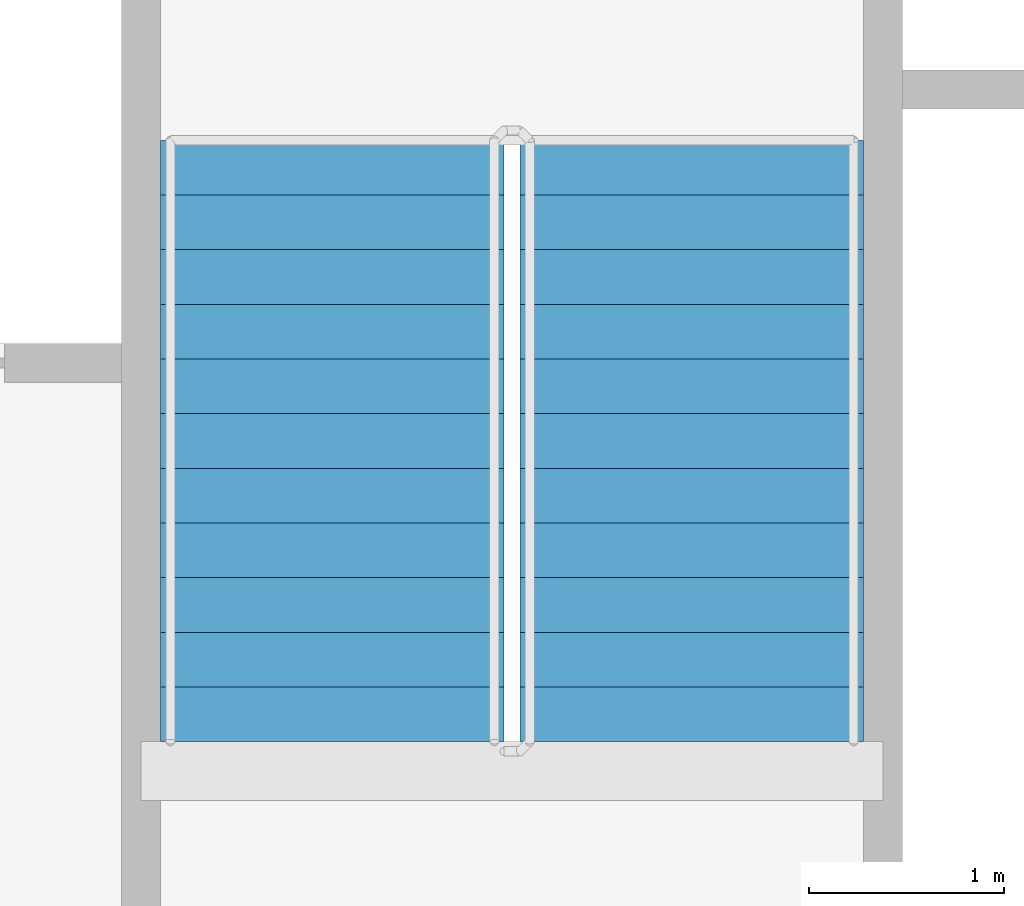
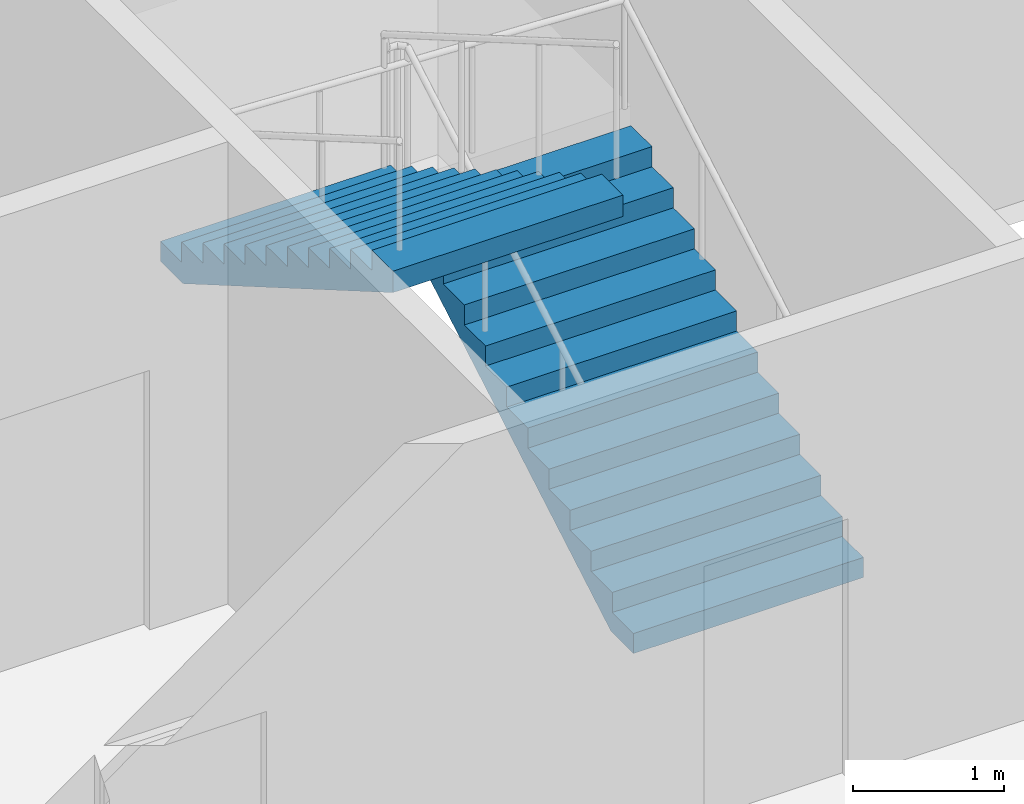
# One storey, part 16 of 21: 2 stair flights, 1 element without a shape of its own.
"""IFC4 building model written with IfcOpenShell, lengths in metres."""

from ifc_helpers import new_model, si_unit, direction, frame, origin, place, context, subcontext, project, spatial, faceted_brep, material, type_object, element, aggregate, save


model = new_model("IFC4")

# Units and contexts
model_context = context("Model", 3, precision=1e-05, world=origin(), true_north=direction((0.0, 1.0)))
body_context = subcontext(model_context, "Body", "Model", "MODEL_VIEW")
ifc_project = project(units=[si_unit("LENGTHUNIT", "METRE"), si_unit("AREAUNIT", "SQUARE_METRE"), si_unit("VOLUMEUNIT", "CUBIC_METRE"), si_unit("PLANEANGLEUNIT", "RADIAN"), si_unit("MASSUNIT", "GRAM", prefix="KILO")], contexts=[model_context])

# Site, building, storey
site_placement = place(None, origin())
site = spatial("IfcSite", under=ifc_project, at=site_placement, CompositionType="ELEMENT")
building_placement = place(site_placement, origin())
building = spatial("IfcBuilding", under=site, at=building_placement, Name="Tarsis Ring Headquarters", CompositionType="ELEMENT")
storey_placement = place(building_placement, frame((0.0, 0.0, 278.60009765625)))
storey = spatial("IfcBuildingStorey", under=building, at=storey_placement, Name="L65", CompositionType="ELEMENT", Elevation=278.60009765625)

# Stair, stair flights
ifc_material_1 = material(Name="Core stair 1760")
stair_type = type_object("IfcStairType", Name="Core stair 1760", PredefinedType="HALF_TURN_STAIR", material=ifc_material_1)
stair_placement = place(storey_placement, origin())
stair = element("IfcStair", 1, at=stair_placement, inside=storey, type_object=stair_type, Name="L65 Exit stair B", PredefinedType="HALF_TURN_STAIR")
ifc_material_2 = material(Name="Concrete C40/50", Category="concrete")
stair_flight_type = type_object("IfcStairFlightType", Name="Core stair flight 1760", PredefinedType="STRAIGHT", material=ifc_material_2)
stair_flight_1_placement = place(storey_placement, frame((5.419921875, 3.659912109375, 0.0), z_axis=(0.0, 0.0, 1.0), x_axis=(0.0, 1.0, 0.0)))
stair_flight_1 = element("IfcStairFlight", 2, at=stair_flight_1_placement, type_object=stair_flight_type, Name="Stair ST2 flight 1", NumberOfRisers=12, NumberOfTreads=11, PredefinedType="STRAIGHT", RiserHeight=0.1625, TreadLength=0.28, context=body_context, shape_type="Brep", body=[
    faceted_brep([(0.0, 0.8798828125, 0.0), (0.0, 0.8798828125, 0.16259765625), (0.280029296875, 0.8798828125, 0.16259765625), (0.280029296875, 0.8798828125, 0.324951171875), (0.56005859375, 0.8798828125, 0.324951171875), (0.56005859375, 0.8798828125, 0.487548828125), (0.840087890625, 0.8798828125, 0.487548828125), (0.840087890625, 0.8798828125, 0.64990234375), (1.1201171875, 0.8798828125, 0.64990234375), (1.1201171875, 0.8798828125, 0.8125), (1.39990234375, 0.8798828125, 0.8125), (1.39990234375, 0.8798828125, 0.97509765625), (1.679931640625, 0.8798828125, 0.97509765625), (1.679931640625, 0.8798828125, 1.137451171875), (1.9599609375, 0.8798828125, 1.137451171875), (1.9599609375, 0.8798828125, 1.300048828125), (2.239990234375, 0.8798828125, 1.300048828125), (2.239990234375, 0.8798828125, 1.46240234375), (2.52001953125, 0.8798828125, 1.46240234375), (2.52001953125, 0.8798828125, 1.625), (2.800048828125, 0.8798828125, 1.625), (2.800048828125, 0.8798828125, 1.78759765625), (3.080078125, 0.8798828125, 1.78759765625), (3.080078125, 0.8798828125, 1.6142578125), (0.298583984375, 0.8798828125, 0.0), (0.298583984375, -0.8798828125, 0.0), (3.080078125, -0.8798828125, 1.6142578125), (3.080078125, -0.8798828125, 1.78759765625), (2.800048828125, -0.8798828125, 1.78759765625), (2.800048828125, -0.8798828125, 1.625), (2.52001953125, -0.8798828125, 1.625), (2.52001953125, -0.8798828125, 1.46240234375), (2.239990234375, -0.8798828125, 1.46240234375), (2.239990234375, -0.8798828125, 1.300048828125), (1.9599609375, -0.8798828125, 1.300048828125), (1.9599609375, -0.8798828125, 1.137451171875), (1.679931640625, -0.8798828125, 1.137451171875), (1.679931640625, -0.8798828125, 0.97509765625), (1.39990234375, -0.8798828125, 0.97509765625), (1.39990234375, -0.8798828125, 0.8125), (1.1201171875, -0.8798828125, 0.8125), (1.1201171875, -0.8798828125, 0.64990234375), (0.840087890625, -0.8798828125, 0.64990234375), (0.840087890625, -0.8798828125, 0.487548828125), (0.56005859375, -0.8798828125, 0.487548828125), (0.56005859375, -0.8798828125, 0.324951171875), (0.280029296875, -0.8798828125, 0.324951171875), (0.280029296875, -0.8798828125, 0.16259765625), (0.0, -0.8798828125, 0.16259765625), (0.0, -0.8798828125, 0.0), (0.0, -0.43994140625, 0.16259765625), (0.0, -0.43994140625, 0.0), (0.0, 0.0, 0.16259765625), (0.0, 0.0, 0.0), (0.0, 0.43994140625, 0.16259765625), (0.0, 0.43994140625, 0.0), (0.280029296875, -0.43994140625, 0.16259765625), (0.280029296875, 0.0, 0.16259765625), (0.280029296875, 0.43994140625, 0.16259765625), (0.280029296875, -0.43994140625, 0.324951171875), (0.280029296875, 0.0, 0.324951171875), (0.280029296875, 0.43994140625, 0.324951171875), (0.56005859375, -0.43994140625, 0.324951171875), (0.56005859375, 0.0, 0.324951171875), (0.56005859375, 0.43994140625, 0.324951171875), (0.56005859375, -0.43994140625, 0.487548828125), (0.56005859375, 0.0, 0.487548828125), (0.56005859375, 0.43994140625, 0.487548828125), (0.840087890625, -0.43994140625, 0.487548828125), (0.840087890625, 0.0, 0.487548828125), (0.840087890625, 0.43994140625, 0.487548828125), (0.840087890625, -0.43994140625, 0.64990234375), (0.840087890625, 0.0, 0.64990234375), (0.840087890625, 0.43994140625, 0.64990234375), (1.1201171875, -0.43994140625, 0.64990234375), (1.1201171875, 0.0, 0.64990234375), (1.1201171875, 0.43994140625, 0.64990234375), (1.1201171875, -0.43994140625, 0.8125), (1.1201171875, 0.0, 0.8125), (1.1201171875, 0.43994140625, 0.8125), (1.39990234375, -0.43994140625, 0.8125), (1.39990234375, 0.0, 0.8125), (1.39990234375, 0.43994140625, 0.8125), (1.39990234375, -0.43994140625, 0.97509765625), (1.39990234375, 0.0, 0.97509765625), (1.39990234375, 0.43994140625, 0.97509765625), (1.679931640625, -0.43994140625, 0.97509765625), (1.679931640625, 0.0, 0.97509765625), (1.679931640625, 0.43994140625, 0.97509765625), (1.679931640625, -0.43994140625, 1.137451171875), (1.679931640625, 0.0, 1.137451171875), (1.679931640625, 0.43994140625, 1.137451171875), (1.9599609375, -0.43994140625, 1.137451171875), (1.9599609375, 0.0, 1.137451171875), (1.9599609375, 0.43994140625, 1.137451171875), (1.9599609375, -0.43994140625, 1.300048828125), (1.9599609375, 0.0, 1.300048828125), (1.9599609375, 0.43994140625, 1.300048828125), (2.239990234375, -0.43994140625, 1.300048828125), (2.239990234375, 0.0, 1.300048828125), (2.239990234375, 0.43994140625, 1.300048828125), (2.239990234375, -0.43994140625, 1.46240234375), (2.239990234375, 0.0, 1.46240234375), (2.239990234375, 0.43994140625, 1.46240234375), (2.52001953125, -0.43994140625, 1.46240234375), (2.52001953125, 0.0, 1.46240234375), (2.52001953125, 0.43994140625, 1.46240234375), (2.52001953125, -0.43994140625, 1.625), (2.52001953125, 0.0, 1.625), (2.52001953125, 0.43994140625, 1.625), (2.800048828125, -0.43994140625, 1.625), (2.800048828125, 0.0, 1.625), (2.800048828125, 0.43994140625, 1.625), (2.800048828125, -0.43994140625, 1.78759765625), (2.800048828125, 0.0, 1.78759765625), (2.800048828125, 0.43994140625, 1.78759765625), (3.080078125, -0.43994140625, 1.78759765625), (3.080078125, 0.0, 1.78759765625), (3.080078125, 0.43994140625, 1.78759765625), (3.080078125, -0.43994140625, 1.6142578125), (3.080078125, 0.0, 1.6142578125), (3.080078125, 0.43994140625, 1.6142578125), (0.298583984375, -0.43994140625, 0.0), (0.298583984375, 0.0, 0.0), (0.298583984375, 0.43994140625, 0.0)], [[[0, 1, 2, 3, 4, 5, 6, 7, 8, 9, 10, 11, 12, 13, 14, 15, 16, 17, 18, 19, 20, 21, 22, 23, 24]], [[25, 26, 27, 28, 29, 30, 31, 32, 33, 34, 35, 36, 37, 38, 39, 40, 41, 42, 43, 44, 45, 46, 47, 48, 49]], [[49, 48, 50, 51]], [[51, 50, 52, 53]], [[53, 52, 54, 55]], [[55, 54, 1, 0]], [[48, 47, 56, 50]], [[50, 56, 57, 52]], [[52, 57, 58, 54]], [[54, 58, 2, 1]], [[47, 46, 59, 56]], [[56, 59, 60, 57]], [[57, 60, 61, 58]], [[58, 61, 3, 2]], [[46, 45, 62, 59]], [[59, 62, 63, 60]], [[60, 63, 64, 61]], [[61, 64, 4, 3]], [[45, 44, 65, 62]], [[62, 65, 66, 63]], [[63, 66, 67, 64]], [[64, 67, 5, 4]], [[44, 43, 68, 65]], [[65, 68, 69, 66]], [[66, 69, 70, 67]], [[67, 70, 6, 5]], [[43, 42, 71, 68]], [[68, 71, 72, 69]], [[69, 72, 73, 70]], [[70, 73, 7, 6]], [[42, 41, 74, 71]], [[71, 74, 75, 72]], [[72, 75, 76, 73]], [[73, 76, 8, 7]], [[41, 40, 77, 74]], [[74, 77, 78, 75]], [[75, 78, 79, 76]], [[76, 79, 9, 8]], [[40, 39, 80, 77]], [[77, 80, 81, 78]], [[78, 81, 82, 79]], [[79, 82, 10, 9]], [[39, 38, 83, 80]], [[80, 83, 84, 81]], [[81, 84, 85, 82]], [[82, 85, 11, 10]], [[38, 37, 86, 83]], [[83, 86, 87, 84]], [[84, 87, 88, 85]], [[85, 88, 12, 11]], [[37, 36, 89, 86]], [[86, 89, 90, 87]], [[87, 90, 91, 88]], [[88, 91, 13, 12]], [[36, 35, 92, 89]], [[89, 92, 93, 90]], [[90, 93, 94, 91]], [[91, 94, 14, 13]], [[35, 34, 95, 92]], [[92, 95, 96, 93]], [[93, 96, 97, 94]], [[94, 97, 15, 14]], [[34, 33, 98, 95]], [[95, 98, 99, 96]], [[96, 99, 100, 97]], [[97, 100, 16, 15]], [[33, 32, 101, 98]], [[98, 101, 102, 99]], [[99, 102, 103, 100]], [[100, 103, 17, 16]], [[32, 31, 104, 101]], [[101, 104, 105, 102]], [[102, 105, 106, 103]], [[103, 106, 18, 17]], [[31, 30, 107, 104]], [[104, 107, 108, 105]], [[105, 108, 109, 106]], [[106, 109, 19, 18]], [[30, 29, 110, 107]], [[107, 110, 111, 108]], [[108, 111, 112, 109]], [[109, 112, 20, 19]], [[29, 28, 113, 110]], [[110, 113, 114, 111]], [[111, 114, 115, 112]], [[112, 115, 21, 20]], [[28, 27, 116, 113]], [[113, 116, 117, 114]], [[114, 117, 118, 115]], [[115, 118, 22, 21]], [[27, 26, 119, 116]], [[116, 119, 120, 117]], [[117, 120, 121, 118]], [[118, 121, 23, 22]], [[26, 25, 122, 119]], [[119, 122, 123, 120]], [[120, 123, 124, 121]], [[121, 124, 24, 23]], [[25, 49, 51, 122]], [[122, 51, 53, 123]], [[123, 53, 55, 124]], [[124, 55, 0, 24]]]),
])
stair_flight_2_placement = place(storey_placement, frame((3.580078125, 6.739990234375, 1.949951171875), z_axis=(0.0, 0.0, 1.0), x_axis=(0.0, -1.0, 0.0)))
stair_flight_2 = element("IfcStairFlight", 3, at=stair_flight_2_placement, type_object=stair_flight_type, Name="Stair ST2 flight 2", NumberOfRisers=12, NumberOfTreads=11, PredefinedType="STRAIGHT", RiserHeight=0.1625, TreadLength=0.28, context=body_context, shape_type="Brep", body=[
    faceted_brep([(0.0, 0.8798828125, 0.0), (0.0, 0.8798828125, 0.16259765625), (0.280029296875, 0.8798828125, 0.16259765625), (0.280029296875, 0.8798828125, 0.324951171875), (0.56005859375, 0.8798828125, 0.324951171875), (0.56005859375, 0.8798828125, 0.487548828125), (0.840087890625, 0.8798828125, 0.487548828125), (0.840087890625, 0.8798828125, 0.64990234375), (1.1201171875, 0.8798828125, 0.64990234375), (1.1201171875, 0.8798828125, 0.8125), (1.39990234375, 0.8798828125, 0.8125), (1.39990234375, 0.8798828125, 0.97509765625), (1.679931640625, 0.8798828125, 0.97509765625), (1.679931640625, 0.8798828125, 1.137451171875), (1.9599609375, 0.8798828125, 1.137451171875), (1.9599609375, 0.8798828125, 1.300048828125), (2.239990234375, 0.8798828125, 1.300048828125), (2.239990234375, 0.8798828125, 1.46240234375), (2.52001953125, 0.8798828125, 1.46240234375), (2.52001953125, 0.8798828125, 1.625), (2.800048828125, 0.8798828125, 1.625), (2.800048828125, 0.8798828125, 1.78759765625), (3.080078125, 0.8798828125, 1.78759765625), (3.080078125, 0.8798828125, 1.6142578125), (0.298583984375, 0.8798828125, 0.0), (0.298583984375, -0.8798828125, 0.0), (3.080078125, -0.8798828125, 1.6142578125), (3.080078125, -0.8798828125, 1.78759765625), (2.800048828125, -0.8798828125, 1.78759765625), (2.800048828125, -0.8798828125, 1.625), (2.52001953125, -0.8798828125, 1.625), (2.52001953125, -0.8798828125, 1.46240234375), (2.239990234375, -0.8798828125, 1.46240234375), (2.239990234375, -0.8798828125, 1.300048828125), (1.9599609375, -0.8798828125, 1.300048828125), (1.9599609375, -0.8798828125, 1.137451171875), (1.679931640625, -0.8798828125, 1.137451171875), (1.679931640625, -0.8798828125, 0.97509765625), (1.39990234375, -0.8798828125, 0.97509765625), (1.39990234375, -0.8798828125, 0.8125), (1.1201171875, -0.8798828125, 0.8125), (1.1201171875, -0.8798828125, 0.64990234375), (0.840087890625, -0.8798828125, 0.64990234375), (0.840087890625, -0.8798828125, 0.487548828125), (0.56005859375, -0.8798828125, 0.487548828125), (0.56005859375, -0.8798828125, 0.324951171875), (0.280029296875, -0.8798828125, 0.324951171875), (0.280029296875, -0.8798828125, 0.16259765625), (0.0, -0.8798828125, 0.16259765625), (0.0, -0.8798828125, 0.0), (0.0, -0.43994140625, 0.16259765625), (0.0, -0.43994140625, 0.0), (0.0, 0.0, 0.16259765625), (0.0, 0.0, 0.0), (0.0, 0.43994140625, 0.16259765625), (0.0, 0.43994140625, 0.0), (0.280029296875, -0.43994140625, 0.16259765625), (0.280029296875, 0.0, 0.16259765625), (0.280029296875, 0.43994140625, 0.16259765625), (0.280029296875, -0.43994140625, 0.324951171875), (0.280029296875, 0.0, 0.324951171875), (0.280029296875, 0.43994140625, 0.324951171875), (0.56005859375, -0.43994140625, 0.324951171875), (0.56005859375, 0.0, 0.324951171875), (0.56005859375, 0.43994140625, 0.324951171875), (0.56005859375, -0.43994140625, 0.487548828125), (0.56005859375, 0.0, 0.487548828125), (0.56005859375, 0.43994140625, 0.487548828125), (0.840087890625, -0.43994140625, 0.487548828125), (0.840087890625, 0.0, 0.487548828125), (0.840087890625, 0.43994140625, 0.487548828125), (0.840087890625, -0.43994140625, 0.64990234375), (0.840087890625, 0.0, 0.64990234375), (0.840087890625, 0.43994140625, 0.64990234375), (1.1201171875, -0.43994140625, 0.64990234375), (1.1201171875, 0.0, 0.64990234375), (1.1201171875, 0.43994140625, 0.64990234375), (1.1201171875, -0.43994140625, 0.8125), (1.1201171875, 0.0, 0.8125), (1.1201171875, 0.43994140625, 0.8125), (1.39990234375, -0.43994140625, 0.8125), (1.39990234375, 0.0, 0.8125), (1.39990234375, 0.43994140625, 0.8125), (1.39990234375, -0.43994140625, 0.97509765625), (1.39990234375, 0.0, 0.97509765625), (1.39990234375, 0.43994140625, 0.97509765625), (1.679931640625, -0.43994140625, 0.97509765625), (1.679931640625, 0.0, 0.97509765625), (1.679931640625, 0.43994140625, 0.97509765625), (1.679931640625, -0.43994140625, 1.137451171875), (1.679931640625, 0.0, 1.137451171875), (1.679931640625, 0.43994140625, 1.137451171875), (1.9599609375, -0.43994140625, 1.137451171875), (1.9599609375, 0.0, 1.137451171875), (1.9599609375, 0.43994140625, 1.137451171875), (1.9599609375, -0.43994140625, 1.300048828125), (1.9599609375, 0.0, 1.300048828125), (1.9599609375, 0.43994140625, 1.300048828125), (2.239990234375, -0.43994140625, 1.300048828125), (2.239990234375, 0.0, 1.300048828125), (2.239990234375, 0.43994140625, 1.300048828125), (2.239990234375, -0.43994140625, 1.46240234375), (2.239990234375, 0.0, 1.46240234375), (2.239990234375, 0.43994140625, 1.46240234375), (2.52001953125, -0.43994140625, 1.46240234375), (2.52001953125, 0.0, 1.46240234375), (2.52001953125, 0.43994140625, 1.46240234375), (2.52001953125, -0.43994140625, 1.625), (2.52001953125, 0.0, 1.625), (2.52001953125, 0.43994140625, 1.625), (2.800048828125, -0.43994140625, 1.625), (2.800048828125, 0.0, 1.625), (2.800048828125, 0.43994140625, 1.625), (2.800048828125, -0.43994140625, 1.78759765625), (2.800048828125, 0.0, 1.78759765625), (2.800048828125, 0.43994140625, 1.78759765625), (3.080078125, -0.43994140625, 1.78759765625), (3.080078125, 0.0, 1.78759765625), (3.080078125, 0.43994140625, 1.78759765625), (3.080078125, -0.43994140625, 1.6142578125), (3.080078125, 0.0, 1.6142578125), (3.080078125, 0.43994140625, 1.6142578125), (0.298583984375, -0.43994140625, 0.0), (0.298583984375, 0.0, 0.0), (0.298583984375, 0.43994140625, 0.0)], [[[0, 1, 2, 3, 4, 5, 6, 7, 8, 9, 10, 11, 12, 13, 14, 15, 16, 17, 18, 19, 20, 21, 22, 23, 24]], [[25, 26, 27, 28, 29, 30, 31, 32, 33, 34, 35, 36, 37, 38, 39, 40, 41, 42, 43, 44, 45, 46, 47, 48, 49]], [[49, 48, 50, 51]], [[51, 50, 52, 53]], [[53, 52, 54, 55]], [[55, 54, 1, 0]], [[48, 47, 56, 50]], [[50, 56, 57, 52]], [[52, 57, 58, 54]], [[54, 58, 2, 1]], [[47, 46, 59, 56]], [[56, 59, 60, 57]], [[57, 60, 61, 58]], [[58, 61, 3, 2]], [[46, 45, 62, 59]], [[59, 62, 63, 60]], [[60, 63, 64, 61]], [[61, 64, 4, 3]], [[45, 44, 65, 62]], [[62, 65, 66, 63]], [[63, 66, 67, 64]], [[64, 67, 5, 4]], [[44, 43, 68, 65]], [[65, 68, 69, 66]], [[66, 69, 70, 67]], [[67, 70, 6, 5]], [[43, 42, 71, 68]], [[68, 71, 72, 69]], [[69, 72, 73, 70]], [[70, 73, 7, 6]], [[42, 41, 74, 71]], [[71, 74, 75, 72]], [[72, 75, 76, 73]], [[73, 76, 8, 7]], [[41, 40, 77, 74]], [[74, 77, 78, 75]], [[75, 78, 79, 76]], [[76, 79, 9, 8]], [[40, 39, 80, 77]], [[77, 80, 81, 78]], [[78, 81, 82, 79]], [[79, 82, 10, 9]], [[39, 38, 83, 80]], [[80, 83, 84, 81]], [[81, 84, 85, 82]], [[82, 85, 11, 10]], [[38, 37, 86, 83]], [[83, 86, 87, 84]], [[84, 87, 88, 85]], [[85, 88, 12, 11]], [[37, 36, 89, 86]], [[86, 89, 90, 87]], [[87, 90, 91, 88]], [[88, 91, 13, 12]], [[36, 35, 92, 89]], [[89, 92, 93, 90]], [[90, 93, 94, 91]], [[91, 94, 14, 13]], [[35, 34, 95, 92]], [[92, 95, 96, 93]], [[93, 96, 97, 94]], [[94, 97, 15, 14]], [[34, 33, 98, 95]], [[95, 98, 99, 96]], [[96, 99, 100, 97]], [[97, 100, 16, 15]], [[33, 32, 101, 98]], [[98, 101, 102, 99]], [[99, 102, 103, 100]], [[100, 103, 17, 16]], [[32, 31, 104, 101]], [[101, 104, 105, 102]], [[102, 105, 106, 103]], [[103, 106, 18, 17]], [[31, 30, 107, 104]], [[104, 107, 108, 105]], [[105, 108, 109, 106]], [[106, 109, 19, 18]], [[30, 29, 110, 107]], [[107, 110, 111, 108]], [[108, 111, 112, 109]], [[109, 112, 20, 19]], [[29, 28, 113, 110]], [[110, 113, 114, 111]], [[111, 114, 115, 112]], [[112, 115, 21, 20]], [[28, 27, 116, 113]], [[113, 116, 117, 114]], [[114, 117, 118, 115]], [[115, 118, 22, 21]], [[27, 26, 119, 116]], [[116, 119, 120, 117]], [[117, 120, 121, 118]], [[118, 121, 23, 22]], [[26, 25, 122, 119]], [[119, 122, 123, 120]], [[120, 123, 124, 121]], [[121, 124, 24, 23]], [[25, 49, 51, 122]], [[122, 51, 53, 123]], [[123, 53, 55, 124]], [[124, 55, 0, 24]]]),
])
aggregate(stair, [stair_flight_1, stair_flight_2])

save(model, "model.ifc")
